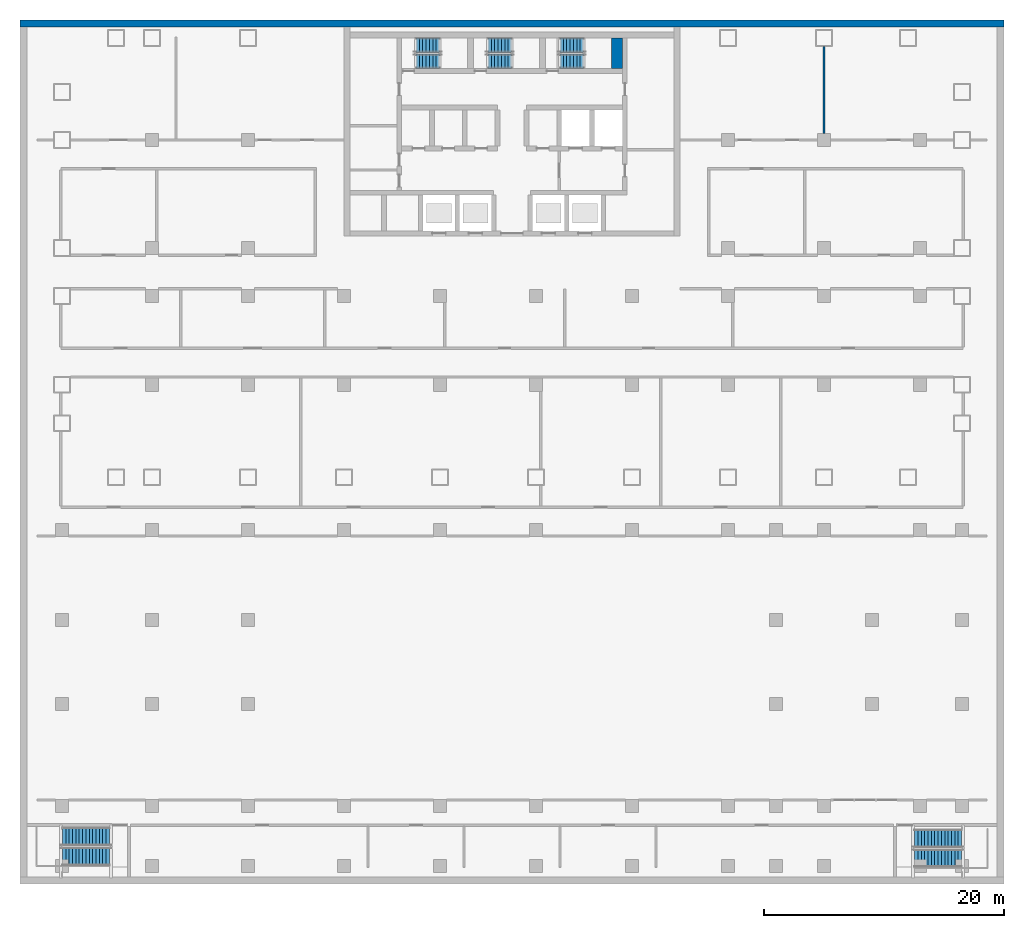
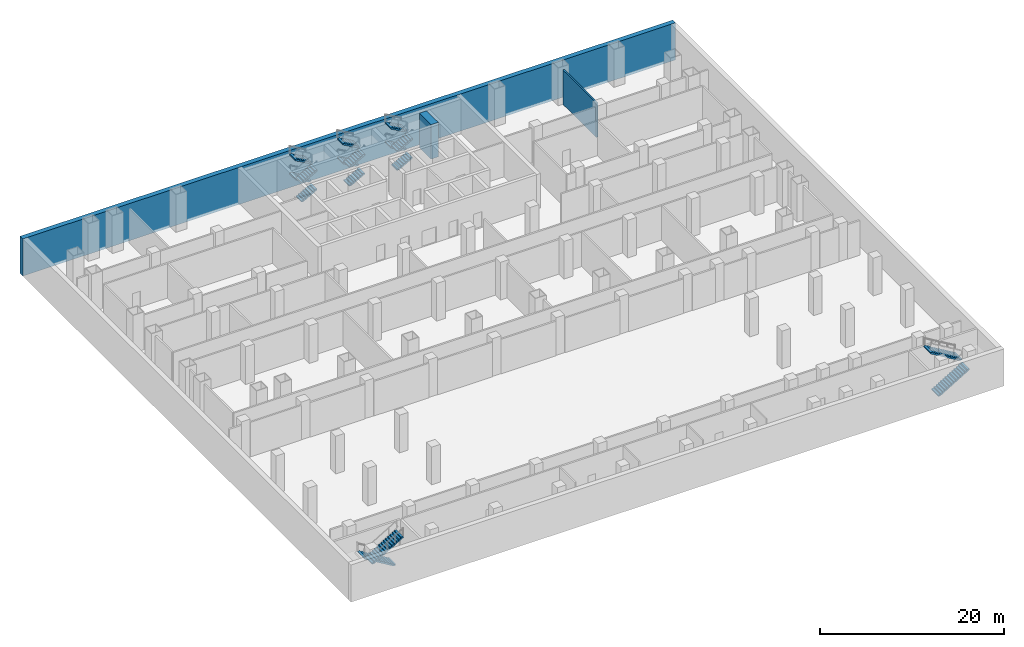
# One storey, part 8 of 12: 16 stair flights, 3 walls, 5 elements without a shape of their own.
"""IFC4 building model written with IfcOpenShell, lengths in metres."""

import ifcopenshell
import ifcopenshell.guid

model = None  # the IFC model being written
_history = None  # IfcOwnerHistory: only IFC2X3 demands one
_inside = {}  # id of a spatial element -> (the spatial element, [elements in it])
_under = {}  # id of a project, library or spatial element -> (it, [spatial elements below it])
_declared = {}  # id of a project -> (the project, [libraries it declares])
_typed = {}  # id of a type object -> (the type object, [elements of that type])
_made_of = {}  # id of a material, layer set ... -> (it, [elements and type objects made of it])


def new_model(schema):
    """Start an empty IFC model of exactly this schema.

    Asked for "IFC4X3", IfcOpenShell would pick the latest addendum, in which some entities
    have other attributes; the version numbers below select the first issue.
    IFC2X3 requires an IfcOwnerHistory on every rooted entity: one is made here for all.
    """
    global model, _history
    if schema == "IFC4X3":
        model = ifcopenshell.file(schema_version=(4, 3, 0, 0))
    else:
        model = ifcopenshell.file(schema=schema)
    _inside.clear()
    _under.clear()
    _declared.clear()
    _typed.clear()
    _made_of.clear()
    _history = None
    if model.schema == "IFC2X3":
        org = make("IfcOrganization", Name="unknown")
        user = make(
            "IfcPersonAndOrganization",
            ThePerson=make("IfcPerson", FamilyName="unknown"),
            TheOrganization=org,
        )
        app = make(
            "IfcApplication",
            ApplicationDeveloper=org,
            Version="unknown",
            ApplicationFullName="unknown",
            ApplicationIdentifier="unknown",
        )
        _history = make(
            "IfcOwnerHistory",
            OwningUser=user,
            OwningApplication=app,
            ChangeAction="ADDED",
            CreationDate=0,
        )
    return model


def make(cls, **values):
    """One entity of the class cls with the attributes given. An attribute that is None is left unset."""
    return model.create_entity(
        cls, **{name: value for name, value in values.items() if value is not None}
    )


def rooted(cls, **values):
    """An entity with a GlobalId (a new one), such as an element, a storey or a relation."""
    return make(cls, GlobalId=ifcopenshell.guid.new(), OwnerHistory=_history, **values)


def si_unit(unit_type, name, prefix=None):
    """IfcSIUnit, for example si_unit("LENGTHUNIT", "METRE", prefix="MILLI")."""
    return make("IfcSIUnit", UnitType=unit_type, Prefix=prefix, Name=name)


def assignment(units):
    """IfcUnitAssignment: the units of a project."""
    return None if units is None else make("IfcUnitAssignment", Units=units)


def point(xyz):
    """IfcCartesianPoint."""
    return None if xyz is None else make("IfcCartesianPoint", Coordinates=xyz)


def direction(xyz):
    """IfcDirection."""
    return None if xyz is None else make("IfcDirection", DirectionRatios=xyz)


def frame(location, z_axis=None, x_axis=None):
    """IfcAxis2Placement3D, a coordinate frame: its origin and axes. An axis left out is left unset."""
    return make(
        "IfcAxis2Placement3D",
        Location=point(location),
        Axis=direction(z_axis),
        RefDirection=direction(x_axis),
    )


def frame_2d(location, x_axis=None):
    """IfcAxis2Placement2D, a coordinate frame in the plane: its origin and x axis."""
    return make(
        "IfcAxis2Placement2D", Location=point(location), RefDirection=direction(x_axis)
    )


def origin():
    """The frame at (0, 0, 0) with its axes left unset."""
    return frame((0.0, 0.0, 0.0))


def place(relative_to, where):
    """IfcLocalPlacement: puts the frame where relative to a parent placement (None: the world)."""
    return make(
        "IfcLocalPlacement", PlacementRelTo=relative_to, RelativePlacement=where
    )


def context(
    kind, dimensions, precision=None, world=None, true_north=None, identifier=None
):
    """IfcGeometricRepresentationContext, for example the 3D "Model" context."""
    return make(
        "IfcGeometricRepresentationContext",
        ContextIdentifier=identifier,
        ContextType=kind,
        CoordinateSpaceDimension=dimensions,
        Precision=precision,
        WorldCoordinateSystem=world,
        TrueNorth=true_north,
    )


def subcontext(parent, identifier, kind, view, scale=None):
    """IfcGeometricRepresentationSubContext, for example "Body" below "Model"."""
    return make(
        "IfcGeometricRepresentationSubContext",
        ContextIdentifier=identifier,
        ContextType=kind,
        ParentContext=parent,
        TargetScale=scale,
        TargetView=view,
    )


def project(units=None, contexts=None):
    """IfcProject with its units and contexts."""
    return rooted(
        "IfcProject",
        Name="project",
        RepresentationContexts=contexts,
        UnitsInContext=assignment(units),
    )


def spatial(cls, under=None, at=None, **own):
    """A site, building, storey or space (cls), placed at a placement, below another one or the project."""
    s = rooted(cls, ObjectPlacement=at, **own)
    if under is not None:
        _under.setdefault(under.id(), (under, []))[1].append(s)
    return s


def polyline(points):
    """IfcPolyline through the points."""
    return make("IfcPolyline", Points=[point(p) for p in points])


def profile(cls, at=None, kind="AREA", **sizes):
    """A parametric profile (cls). Its sizes go by their IFC names, for example OverallWidth=200.0."""
    return make(cls, ProfileType=kind, Position=at, **sizes)


def rectangle(**sizes):
    """IfcRectangleProfileDef."""
    return profile("IfcRectangleProfileDef", **sizes)


def outline(outer, holes=None, kind="AREA"):
    """IfcArbitraryClosedProfileDef: a profile drawn as a closed curve; with holes, ...WithVoids."""
    if holes is None:
        return make("IfcArbitraryClosedProfileDef", ProfileType=kind, OuterCurve=outer)
    return make(
        "IfcArbitraryProfileDefWithVoids",
        ProfileType=kind,
        OuterCurve=outer,
        InnerCurves=holes,
    )


def extrude(swept, where, along, depth):
    """IfcExtrudedAreaSolid: the profile swept, set in the frame where, extruded along a direction by depth."""
    return make(
        "IfcExtrudedAreaSolid",
        SweptArea=swept,
        Position=where,
        ExtrudedDirection=direction(along),
        Depth=depth,
    )


def shape(context_of_items, identifier, shape_type, items):
    """IfcShapeRepresentation: the items that make up one representation, for example the "Body"."""
    return make(
        "IfcShapeRepresentation",
        ContextOfItems=context_of_items,
        RepresentationIdentifier=identifier,
        RepresentationType=shape_type,
        Items=items,
    )


def material(Name=None, Category=None):
    """IfcMaterial."""
    return make("IfcMaterial", Name=Name, Category=Category)


def layer(
    of_material, thickness, ventilated=None, Name=None, Category=None, Priority=None
):
    """IfcMaterialLayer: one layer of a wall or slab, of a material (None: an air gap)."""
    return make(
        "IfcMaterialLayer",
        Material=of_material,
        LayerThickness=thickness,
        IsVentilated=ventilated,
        Name=Name,
        Category=Category,
        Priority=Priority,
    )


def layer_set(layers, Name=None):
    """IfcMaterialLayerSet."""
    return make("IfcMaterialLayerSet", MaterialLayers=layers, LayerSetName=Name)


def made_of(thing, what):
    """Note that an element or type object is made of a material, layer set ...; save() writes the relation."""
    if what is not None:
        _made_of.setdefault(what.id(), (what, []))[1].append(thing)
    return thing


def type_object(cls, material=None, **own):
    """A type object (cls), such as IfcWallType, which elements share."""
    return made_of(rooted(cls, **own), material)


def element(
    cls,
    number,
    at=None,
    inside=None,
    cuts=None,
    type_object=None,
    material=None,
    context=None,
    identifier="Body",
    shape_type=None,
    held_by="IfcProductDefinitionShape",
    body=None,
    shapes=None,
    **own,
):
    """One element of the class cls, such as IfcWall. Its Tag is "e" and its number.

    at: its placement. inside: the storey or other place that contains it. cuts: it is an
    opening in that element (IfcRelVoidsElement). A single representation is given by context,
    identifier, shape_type and body (its items); several are given by shapes. held_by: the class
    of the entity that holds the representations. save() writes the other relations.
    """
    e = rooted(cls, Tag="e%d" % number, ObjectPlacement=at, **own)
    if body is not None:
        shapes = [shape(context, identifier, shape_type, body)]
    if shapes is not None:
        e.Representation = make(held_by, Representations=shapes)
    if inside is not None:
        _inside.setdefault(inside.id(), (inside, []))[1].append(e)
    if cuts is not None:
        rooted(
            "IfcRelVoidsElement", RelatingBuildingElement=cuts, RelatedOpeningElement=e
        )
    if type_object is not None:
        _typed.setdefault(type_object.id(), (type_object, []))[1].append(e)
    return made_of(e, material)


def aggregate(whole, parts):
    """IfcRelAggregates: a whole, such as a stair, and the parts it consists of."""
    return rooted("IfcRelAggregates", RelatingObject=whole, RelatedObjects=parts)


def save(model, path):
    """Write the relations noted so far, then the file.

    IfcRelAggregates (storeys below a building ...), IfcRelContainedInSpatialStructure (elements
    in a storey), IfcRelDefinesByType, IfcRelAssociatesMaterial and IfcRelDeclares: one each for
    every whole, place, type object, material and project.
    """
    for whole, parts in _under.values():
        aggregate(whole, parts)
    for where, things in _inside.values():
        rooted(
            "IfcRelContainedInSpatialStructure",
            RelatedElements=things,
            RelatingStructure=where,
        )
    for kind, things in _typed.values():
        rooted("IfcRelDefinesByType", RelatedObjects=things, RelatingType=kind)
    for what, things in _made_of.values():
        rooted("IfcRelAssociatesMaterial", RelatedObjects=things, RelatingMaterial=what)
    for by, libraries in _declared.values():
        rooted("IfcRelDeclares", RelatingContext=by, RelatedDefinitions=libraries)
    model.write(path)


model = new_model("IFC4")

# Units and contexts
model_context = context("Model", 3, precision=1e-05, world=origin(), true_north=direction((0.0, 1.0)))
body_context = subcontext(model_context, "Body", "Model", "MODEL_VIEW")
ifc_project = project(units=[si_unit("LENGTHUNIT", "METRE"), si_unit("AREAUNIT", "SQUARE_METRE"), si_unit("VOLUMEUNIT", "CUBIC_METRE"), si_unit("PLANEANGLEUNIT", "RADIAN"), si_unit("MASSUNIT", "GRAM", prefix="KILO")], contexts=[model_context])

# Site, building, storey
site_placement = place(None, origin())
site = spatial("IfcSite", under=ifc_project, at=site_placement, CompositionType="ELEMENT")
building_placement = place(site_placement, origin())
building = spatial("IfcBuilding", under=site, at=building_placement, Name="Vidyagriha Tower", CompositionType="ELEMENT")
storey_placement = place(building_placement, frame((0.0, 0.0, -5.0)))
storey = spatial("IfcBuildingStorey", under=building, at=storey_placement, Name="B1", CompositionType="ELEMENT", Elevation=-5.0)

# Walls
ifc_material_1 = material(Name="Concrete C50/60", Category="concrete")
ifc_layer_1 = layer(ifc_material_1, 0.60009765625)
ifc_layer_set_1 = layer_set([ifc_layer_1], Name="Concrete C50/60")
wall_type_1 = type_object("IfcWallType", Name="Basement retaining wall 600", PredefinedType="SOLIDWALL", material=ifc_layer_set_1)
wall_1_placement = place(storey_placement, frame((-41.0, 20.699951171875, -0.35009765625)))
element("IfcWall", 1, at=wall_1_placement, inside=storey, type_object=wall_type_1, Name="st-retwall-B1-n", PredefinedType="SOLIDWALL", context=body_context, shape_type="SweptSolid", body=[
    extrude(rectangle(XDim=82.0, YDim=0.60009765625, at=frame_2d((41.0, 0.0))), origin(), (0.0, 0.0, 1.0), 4.93017578125),
])
ifc_material_2 = material(Name="Concrete C60/75", Category="concrete")
ifc_layer_2 = layer(ifc_material_2, 0.89990234375)
ifc_layer_set_2 = layer_set([ifc_layer_2], Name="Concrete C60/75")
wall_type_2 = type_object("IfcWallType", Name="Core shear wall 900 mm", PredefinedType="SHEAR", material=ifc_layer_set_2)
wall_2_placement = place(storey_placement, frame((8.75, 16.949951171875, 0.0), z_axis=(0.0, 0.0, 1.0), x_axis=(0.0, 1.0, 0.0)))
element("IfcWall", 2, at=wall_2_placement, inside=storey, type_object=wall_type_2, Name="Stair end wall", PredefinedType="SHEAR", context=body_context, shape_type="SweptSolid", body=[
    extrude(rectangle(XDim=2.550048828125, YDim=0.89990234375, at=frame_2d((1.27490234375, 0.0))), origin(), (0.0, 0.0, 1.0), 4.580078125),
])
ifc_material_3 = material(Name="Fire rated gypsum board on light gauge framing")
ifc_layer_3 = layer(ifc_material_3, 0.199951171875)
ifc_layer_set_3 = layer_set([ifc_layer_3], Name="Fire rated gypsum board on light gauge framing")
wall_type_3 = type_object("IfcWallType", Name="Fire Rated Corridor Wall 200", PredefinedType="PARTITIONING", material=ifc_layer_set_3)
wall_3_placement = place(storey_placement, frame((26.0, 11.550048828125, 0.0), z_axis=(0.0, 0.0, 1.0), x_axis=(0.0, 1.0, 0.0)))
element("IfcWall", 3, at=wall_3_placement, inside=storey, type_object=wall_type_3, Name="B1 Fire Rated Corridor Wall 200 081", PredefinedType="PARTITIONING", context=body_context, shape_type="SweptSolid", body=[
    extrude(rectangle(XDim=7.25, YDim=0.199951171875, at=frame_2d((3.625, 0.0))), origin(), (0.0, 0.0, 1.0), 4.580078125),
])

# Stair, stair flights
ifc_material_4 = material(Name="Concrete C40/50", Category="concrete")
stair_type_1 = type_object("IfcStairType", Name="Exit stair, half-turn, precast flights", PredefinedType="HALF_TURN_STAIR", material=ifc_material_4)
stair_1_placement = place(storey_placement, origin())
stair_1 = element("IfcStair", 4, at=stair_1_placement, inside=storey, type_object=stair_type_1, Name="B1 Exit Stair ST1", PredefinedType="HALF_TURN_STAIR")
ifc_material_5 = material(Name="Precast concrete C40/50", Category="concrete")
stair_flight_type_1 = type_object("IfcStairFlightType", Name="Exit stair flight 1200 mm, precast", PredefinedType="STRAIGHT", material=ifc_material_5)
stair_flight_1_placement = place(storey_placement, frame((-8.0, 17.550048828125, 0.0)))
stair_flight_1 = element("IfcStairFlight", 5, at=stair_flight_1_placement, type_object=stair_flight_type_1, Name="ST1 flight 1", NumberOfRisers=8, NumberOfTreads=7, PredefinedType="STRAIGHT", RiserHeight=0.15625, TreadLength=0.28, context=body_context, shape_type="SweptSolid", body=[
    extrude(outline(polyline([(0.0, 0.0), (0.0, 0.15625), (0.280029296875, 0.15625), (0.280029296875, 0.3125), (0.56005859375, 0.3125), (0.56005859375, 0.46875), (0.840087890625, 0.46875), (0.840087890625, 0.625), (1.1201171875, 0.625), (1.1201171875, 0.78125), (1.39990234375, 0.78125), (1.39990234375, 0.9375), (1.679931640625, 0.9375), (1.679931640625, 1.09375), (1.9599609375, 1.09375), (1.9599609375, 1.25), (1.9599609375, 0.922119140625), (0.3076171875, 0.0), (0.0, 0.0)])), frame((0.0, 0.60009765625, 0.0), z_axis=(0.0, -1.0, 0.0), x_axis=(1.0, 0.0, 0.0)), (0.0, 0.0, 1.0), 1.199951171875),
])
stair_flight_2_placement = place(storey_placement, frame((-6.0400390625, 18.89990234375, 1.25), z_axis=(0.0, 0.0, 1.0), x_axis=(-1.0, 0.0, 0.0)))
stair_flight_2 = element("IfcStairFlight", 6, at=stair_flight_2_placement, type_object=stair_flight_type_1, Name="ST1 flight 2", NumberOfRisers=8, NumberOfTreads=7, PredefinedType="STRAIGHT", RiserHeight=0.15625, TreadLength=0.28, context=body_context, shape_type="SweptSolid", body=[
    extrude(outline(polyline([(0.0, 0.0), (0.0, 0.15625), (0.280029296875, 0.15625), (0.280029296875, 0.3125), (0.56005859375, 0.3125), (0.56005859375, 0.46875), (0.840087890625, 0.46875), (0.840087890625, 0.625), (1.1201171875, 0.625), (1.1201171875, 0.78125), (1.39990234375, 0.78125), (1.39990234375, 0.9375), (1.679931640625, 0.9375), (1.679931640625, 1.09375), (1.9599609375, 1.09375), (1.9599609375, 1.25), (1.9599609375, 0.922119140625), (0.3076171875, 0.0), (0.0, 0.0)])), frame((0.0, 0.60009765625, 0.0), z_axis=(0.0, -1.0, 0.0), x_axis=(1.0, 0.0, 0.0)), (0.0, 0.0, 1.0), 1.199951171875),
])
stair_flight_3_placement = place(storey_placement, frame((-8.0, 17.550048828125, 2.5)))
stair_flight_3 = element("IfcStairFlight", 7, at=stair_flight_3_placement, type_object=stair_flight_type_1, Name="ST1 flight 3", NumberOfRisers=8, NumberOfTreads=7, PredefinedType="STRAIGHT", RiserHeight=0.15625, TreadLength=0.28, context=body_context, shape_type="SweptSolid", body=[
    extrude(outline(polyline([(0.0, 0.0), (0.0, 0.15625), (0.280029296875, 0.15625), (0.280029296875, 0.3125), (0.56005859375, 0.3125), (0.56005859375, 0.46875), (0.840087890625, 0.46875), (0.840087890625, 0.625), (1.1201171875, 0.625), (1.1201171875, 0.78125), (1.39990234375, 0.78125), (1.39990234375, 0.9375), (1.679931640625, 0.9375), (1.679931640625, 1.09375), (1.9599609375, 1.09375), (1.9599609375, 1.25), (1.9599609375, 0.922119140625), (0.3076171875, 0.0), (0.0, 0.0)])), frame((0.0, 0.60009765625, 0.0), z_axis=(0.0, -1.0, 0.0), x_axis=(1.0, 0.0, 0.0)), (0.0, 0.0, 1.0), 1.199951171875),
])
stair_flight_4_placement = place(storey_placement, frame((-6.0400390625, 18.89990234375, 3.75), z_axis=(0.0, 0.0, 1.0), x_axis=(-1.0, 0.0, 0.0)))
stair_flight_4 = element("IfcStairFlight", 8, at=stair_flight_4_placement, type_object=stair_flight_type_1, Name="ST1 flight 4", NumberOfRisers=8, NumberOfTreads=7, PredefinedType="STRAIGHT", RiserHeight=0.15625, TreadLength=0.28, context=body_context, shape_type="SweptSolid", body=[
    extrude(outline(polyline([(0.0, 0.0), (0.0, 0.15625), (0.280029296875, 0.15625), (0.280029296875, 0.3125), (0.56005859375, 0.3125), (0.56005859375, 0.46875), (0.840087890625, 0.46875), (0.840087890625, 0.625), (1.1201171875, 0.625), (1.1201171875, 0.78125), (1.39990234375, 0.78125), (1.39990234375, 0.9375), (1.679931640625, 0.9375), (1.679931640625, 1.09375), (1.9599609375, 1.09375), (1.9599609375, 1.25), (1.9599609375, 0.922119140625), (0.3076171875, 0.0), (0.0, 0.0)])), frame((0.0, 0.60009765625, 0.0), z_axis=(0.0, -1.0, 0.0), x_axis=(1.0, 0.0, 0.0)), (0.0, 0.0, 1.0), 1.199951171875),
])
aggregate(stair_1, [stair_flight_1, stair_flight_2, stair_flight_3, stair_flight_4])

stair_2_placement = place(storey_placement, origin())
stair_2 = element("IfcStair", 9, at=stair_2_placement, inside=storey, type_object=stair_type_1, Name="B1 Exit Stair ST2", PredefinedType="HALF_TURN_STAIR")
stair_flight_5_placement = place(storey_placement, frame((-2.0, 17.550048828125, 0.0)))
stair_flight_5 = element("IfcStairFlight", 10, at=stair_flight_5_placement, type_object=stair_flight_type_1, Name="ST2 flight 1", NumberOfRisers=8, NumberOfTreads=7, PredefinedType="STRAIGHT", RiserHeight=0.15625, TreadLength=0.28, context=body_context, shape_type="SweptSolid", body=[
    extrude(outline(polyline([(0.0, 0.0), (0.0, 0.15625), (0.280029296875, 0.15625), (0.280029296875, 0.3125), (0.56005859375, 0.3125), (0.56005859375, 0.46875), (0.840087890625, 0.46875), (0.840087890625, 0.625), (1.1201171875, 0.625), (1.1201171875, 0.78125), (1.39990234375, 0.78125), (1.39990234375, 0.9375), (1.679931640625, 0.9375), (1.679931640625, 1.09375), (1.9599609375, 1.09375), (1.9599609375, 1.25), (1.9599609375, 0.922119140625), (0.3076171875, 0.0), (0.0, 0.0)])), frame((0.0, 0.60009765625, 0.0), z_axis=(0.0, -1.0, 0.0), x_axis=(1.0, 0.0, 0.0)), (0.0, 0.0, 1.0), 1.199951171875),
])
stair_flight_6_placement = place(storey_placement, frame((-0.0400390625, 18.89990234375, 1.25), z_axis=(0.0, 0.0, 1.0), x_axis=(-1.0, 0.0, 0.0)))
stair_flight_6 = element("IfcStairFlight", 11, at=stair_flight_6_placement, type_object=stair_flight_type_1, Name="ST2 flight 2", NumberOfRisers=8, NumberOfTreads=7, PredefinedType="STRAIGHT", RiserHeight=0.15625, TreadLength=0.28, context=body_context, shape_type="SweptSolid", body=[
    extrude(outline(polyline([(0.0, 0.0), (0.0, 0.15625), (0.280029296875, 0.15625), (0.280029296875, 0.3125), (0.56005859375, 0.3125), (0.56005859375, 0.46875), (0.840087890625, 0.46875), (0.840087890625, 0.625), (1.1201171875, 0.625), (1.1201171875, 0.78125), (1.39990234375, 0.78125), (1.39990234375, 0.9375), (1.679931640625, 0.9375), (1.679931640625, 1.09375), (1.9599609375, 1.09375), (1.9599609375, 1.25), (1.9599609375, 0.922119140625), (0.3076171875, 0.0), (0.0, 0.0)])), frame((0.0, 0.60009765625, 0.0), z_axis=(0.0, -1.0, 0.0), x_axis=(1.0, 0.0, 0.0)), (0.0, 0.0, 1.0), 1.199951171875),
])
stair_flight_7_placement = place(storey_placement, frame((-2.0, 17.550048828125, 2.5)))
stair_flight_7 = element("IfcStairFlight", 12, at=stair_flight_7_placement, type_object=stair_flight_type_1, Name="ST2 flight 3", NumberOfRisers=8, NumberOfTreads=7, PredefinedType="STRAIGHT", RiserHeight=0.15625, TreadLength=0.28, context=body_context, shape_type="SweptSolid", body=[
    extrude(outline(polyline([(0.0, 0.0), (0.0, 0.15625), (0.280029296875, 0.15625), (0.280029296875, 0.3125), (0.56005859375, 0.3125), (0.56005859375, 0.46875), (0.840087890625, 0.46875), (0.840087890625, 0.625), (1.1201171875, 0.625), (1.1201171875, 0.78125), (1.39990234375, 0.78125), (1.39990234375, 0.9375), (1.679931640625, 0.9375), (1.679931640625, 1.09375), (1.9599609375, 1.09375), (1.9599609375, 1.25), (1.9599609375, 0.922119140625), (0.3076171875, 0.0), (0.0, 0.0)])), frame((0.0, 0.60009765625, 0.0), z_axis=(0.0, -1.0, 0.0), x_axis=(1.0, 0.0, 0.0)), (0.0, 0.0, 1.0), 1.199951171875),
])
stair_flight_8_placement = place(storey_placement, frame((-0.0400390625, 18.89990234375, 3.75), z_axis=(0.0, 0.0, 1.0), x_axis=(-1.0, 0.0, 0.0)))
stair_flight_8 = element("IfcStairFlight", 13, at=stair_flight_8_placement, type_object=stair_flight_type_1, Name="ST2 flight 4", NumberOfRisers=8, NumberOfTreads=7, PredefinedType="STRAIGHT", RiserHeight=0.15625, TreadLength=0.28, context=body_context, shape_type="SweptSolid", body=[
    extrude(outline(polyline([(0.0, 0.0), (0.0, 0.15625), (0.280029296875, 0.15625), (0.280029296875, 0.3125), (0.56005859375, 0.3125), (0.56005859375, 0.46875), (0.840087890625, 0.46875), (0.840087890625, 0.625), (1.1201171875, 0.625), (1.1201171875, 0.78125), (1.39990234375, 0.78125), (1.39990234375, 0.9375), (1.679931640625, 0.9375), (1.679931640625, 1.09375), (1.9599609375, 1.09375), (1.9599609375, 1.25), (1.9599609375, 0.922119140625), (0.3076171875, 0.0), (0.0, 0.0)])), frame((0.0, 0.60009765625, 0.0), z_axis=(0.0, -1.0, 0.0), x_axis=(1.0, 0.0, 0.0)), (0.0, 0.0, 1.0), 1.199951171875),
])
aggregate(stair_2, [stair_flight_5, stair_flight_6, stair_flight_7, stair_flight_8])

stair_3_placement = place(storey_placement, origin())
stair_3 = element("IfcStair", 14, at=stair_3_placement, inside=storey, type_object=stair_type_1, Name="B1 Exit Stair ST3", PredefinedType="HALF_TURN_STAIR")
stair_flight_9_placement = place(storey_placement, frame((4.0, 17.550048828125, 0.0)))
stair_flight_9 = element("IfcStairFlight", 15, at=stair_flight_9_placement, type_object=stair_flight_type_1, Name="ST3 flight 1", NumberOfRisers=8, NumberOfTreads=7, PredefinedType="STRAIGHT", RiserHeight=0.15625, TreadLength=0.28, context=body_context, shape_type="SweptSolid", body=[
    extrude(outline(polyline([(0.0, 0.0), (0.0, 0.15625), (0.280029296875, 0.15625), (0.280029296875, 0.3125), (0.56005859375, 0.3125), (0.56005859375, 0.46875), (0.840087890625, 0.46875), (0.840087890625, 0.625), (1.1201171875, 0.625), (1.1201171875, 0.78125), (1.39990234375, 0.78125), (1.39990234375, 0.9375), (1.679931640625, 0.9375), (1.679931640625, 1.09375), (1.9599609375, 1.09375), (1.9599609375, 1.25), (1.9599609375, 0.922119140625), (0.3076171875, 0.0), (0.0, 0.0)])), frame((0.0, 0.60009765625, 0.0), z_axis=(0.0, -1.0, 0.0), x_axis=(1.0, 0.0, 0.0)), (0.0, 0.0, 1.0), 1.199951171875),
])
stair_flight_10_placement = place(storey_placement, frame((5.9599609375, 18.89990234375, 1.25), z_axis=(0.0, 0.0, 1.0), x_axis=(-1.0, 0.0, 0.0)))
stair_flight_10 = element("IfcStairFlight", 16, at=stair_flight_10_placement, type_object=stair_flight_type_1, Name="ST3 flight 2", NumberOfRisers=8, NumberOfTreads=7, PredefinedType="STRAIGHT", RiserHeight=0.15625, TreadLength=0.28, context=body_context, shape_type="SweptSolid", body=[
    extrude(outline(polyline([(0.0, 0.0), (0.0, 0.15625), (0.280029296875, 0.15625), (0.280029296875, 0.3125), (0.56005859375, 0.3125), (0.56005859375, 0.46875), (0.840087890625, 0.46875), (0.840087890625, 0.625), (1.1201171875, 0.625), (1.1201171875, 0.78125), (1.39990234375, 0.78125), (1.39990234375, 0.9375), (1.679931640625, 0.9375), (1.679931640625, 1.09375), (1.9599609375, 1.09375), (1.9599609375, 1.25), (1.9599609375, 0.922119140625), (0.3076171875, 0.0), (0.0, 0.0)])), frame((0.0, 0.60009765625, 0.0), z_axis=(0.0, -1.0, 0.0), x_axis=(1.0, 0.0, 0.0)), (0.0, 0.0, 1.0), 1.199951171875),
])
stair_flight_11_placement = place(storey_placement, frame((4.0, 17.550048828125, 2.5)))
stair_flight_11 = element("IfcStairFlight", 17, at=stair_flight_11_placement, type_object=stair_flight_type_1, Name="ST3 flight 3", NumberOfRisers=8, NumberOfTreads=7, PredefinedType="STRAIGHT", RiserHeight=0.15625, TreadLength=0.28, context=body_context, shape_type="SweptSolid", body=[
    extrude(outline(polyline([(0.0, 0.0), (0.0, 0.15625), (0.280029296875, 0.15625), (0.280029296875, 0.3125), (0.56005859375, 0.3125), (0.56005859375, 0.46875), (0.840087890625, 0.46875), (0.840087890625, 0.625), (1.1201171875, 0.625), (1.1201171875, 0.78125), (1.39990234375, 0.78125), (1.39990234375, 0.9375), (1.679931640625, 0.9375), (1.679931640625, 1.09375), (1.9599609375, 1.09375), (1.9599609375, 1.25), (1.9599609375, 0.922119140625), (0.3076171875, 0.0), (0.0, 0.0)])), frame((0.0, 0.60009765625, 0.0), z_axis=(0.0, -1.0, 0.0), x_axis=(1.0, 0.0, 0.0)), (0.0, 0.0, 1.0), 1.199951171875),
])
stair_flight_12_placement = place(storey_placement, frame((5.9599609375, 18.89990234375, 3.75), z_axis=(0.0, 0.0, 1.0), x_axis=(-1.0, 0.0, 0.0)))
stair_flight_12 = element("IfcStairFlight", 18, at=stair_flight_12_placement, type_object=stair_flight_type_1, Name="ST3 flight 4", NumberOfRisers=8, NumberOfTreads=7, PredefinedType="STRAIGHT", RiserHeight=0.15625, TreadLength=0.28, context=body_context, shape_type="SweptSolid", body=[
    extrude(outline(polyline([(0.0, 0.0), (0.0, 0.15625), (0.280029296875, 0.15625), (0.280029296875, 0.3125), (0.56005859375, 0.3125), (0.56005859375, 0.46875), (0.840087890625, 0.46875), (0.840087890625, 0.625), (1.1201171875, 0.625), (1.1201171875, 0.78125), (1.39990234375, 0.78125), (1.39990234375, 0.9375), (1.679931640625, 0.9375), (1.679931640625, 1.09375), (1.9599609375, 1.09375), (1.9599609375, 1.25), (1.9599609375, 0.922119140625), (0.3076171875, 0.0), (0.0, 0.0)])), frame((0.0, 0.60009765625, 0.0), z_axis=(0.0, -1.0, 0.0), x_axis=(1.0, 0.0, 0.0)), (0.0, 0.0, 1.0), 1.199951171875),
])
aggregate(stair_3, [stair_flight_9, stair_flight_10, stair_flight_11, stair_flight_12])

ifc_material_6 = material(Name="Concrete C32/40", Category="concrete")
stair_type_2 = type_object("IfcStairType", Name="Podium Exit Stair 1500", PredefinedType="HALF_TURN_STAIR", material=ifc_material_6)
stair_4_placement = place(storey_placement, origin())
stair_4 = element("IfcStair", 19, at=stair_4_placement, inside=storey, type_object=stair_type_2, Name="B1 Exit Stair PS1", PredefinedType="HALF_TURN_STAIR")
ifc_material_7 = material(Name="Concrete C32/40", Category="concrete")
stair_flight_type_2 = type_object("IfcStairFlightType", Name="Podium Stair Flight 1500", PredefinedType="STRAIGHT", material=ifc_material_7)
stair_flight_13_placement = place(storey_placement, frame((-33.544921875, -47.050048828125, 0.0), z_axis=(0.0, 0.0, 1.0), x_axis=(-1.0, 0.0, 0.0)))
stair_flight_13 = element("IfcStairFlight", 20, at=stair_flight_13_placement, type_object=stair_flight_type_2, Name="PS1 flight 1", NumberOfRisers=15, NumberOfTreads=14, PredefinedType="STRAIGHT", RiserHeight=0.166666667, TreadLength=0.28, context=body_context, shape_type="SweptSolid", body=[
    extrude(outline(polyline([(0.0, 0.0), (0.0, 0.166748046875), (0.280029296875, 0.166748046875), (0.280029296875, 0.333251953125), (0.56005859375, 0.333251953125), (0.56005859375, 0.5), (0.840087890625, 0.5), (0.840087890625, 0.666748046875), (1.1201171875, 0.666748046875), (1.1201171875, 0.833251953125), (1.39990234375, 0.833251953125), (1.39990234375, 1.0), (1.679931640625, 1.0), (1.679931640625, 1.166748046875), (1.9599609375, 1.166748046875), (1.9599609375, 1.333251953125), (2.239990234375, 1.333251953125), (2.239990234375, 1.5), (2.52001953125, 1.5), (2.52001953125, 1.666748046875), (2.800048828125, 1.666748046875), (2.800048828125, 1.833251953125), (3.080078125, 1.833251953125), (3.080078125, 2.0), (3.360107421875, 2.0), (3.360107421875, 2.166748046875), (3.639892578125, 2.166748046875), (3.639892578125, 2.333251953125), (3.919921875, 2.333251953125), (3.919921875, 2.5), (3.919921875, 2.158935546875), (0.29296875, 0.0), (0.0, 0.0)])), frame((0.0, 0.75, 0.0), z_axis=(0.0, -1.0, 0.0), x_axis=(1.0, 0.0, 0.0)), (0.0, 0.0, 1.0), 1.5),
])
stair_flight_14_placement = place(storey_placement, frame((-37.465087890625, -48.699951171875, 2.5)))
stair_flight_14 = element("IfcStairFlight", 21, at=stair_flight_14_placement, type_object=stair_flight_type_2, Name="PS1 flight 2", NumberOfRisers=15, NumberOfTreads=14, PredefinedType="STRAIGHT", RiserHeight=0.166666667, TreadLength=0.28, context=body_context, shape_type="SweptSolid", body=[
    extrude(outline(polyline([(0.0, 0.0), (0.0, 0.166748046875), (0.280029296875, 0.166748046875), (0.280029296875, 0.333251953125), (0.56005859375, 0.333251953125), (0.56005859375, 0.5), (0.840087890625, 0.5), (0.840087890625, 0.666748046875), (1.1201171875, 0.666748046875), (1.1201171875, 0.833251953125), (1.39990234375, 0.833251953125), (1.39990234375, 1.0), (1.679931640625, 1.0), (1.679931640625, 1.166748046875), (1.9599609375, 1.166748046875), (1.9599609375, 1.333251953125), (2.239990234375, 1.333251953125), (2.239990234375, 1.5), (2.52001953125, 1.5), (2.52001953125, 1.666748046875), (2.800048828125, 1.666748046875), (2.800048828125, 1.833251953125), (3.080078125, 1.833251953125), (3.080078125, 2.0), (3.360107421875, 2.0), (3.360107421875, 2.166748046875), (3.639892578125, 2.166748046875), (3.639892578125, 2.333251953125), (3.919921875, 2.333251953125), (3.919921875, 2.5), (3.919921875, 2.158935546875), (0.29296875, 0.0), (0.0, 0.0)])), frame((0.0, 0.75, 0.0), z_axis=(0.0, -1.0, 0.0), x_axis=(1.0, 0.0, 0.0)), (0.0, 0.0, 1.0), 1.5),
])
aggregate(stair_4, [stair_flight_13, stair_flight_14])

stair_5_placement = place(storey_placement, origin())
stair_5 = element("IfcStair", 22, at=stair_5_placement, inside=storey, type_object=stair_type_2, Name="B1 Exit Stair PS2", PredefinedType="HALF_TURN_STAIR")
stair_flight_15_placement = place(storey_placement, frame((33.544921875, -48.85009765625, 0.0)))
stair_flight_15 = element("IfcStairFlight", 23, at=stair_flight_15_placement, type_object=stair_flight_type_2, Name="PS2 flight 1", NumberOfRisers=15, NumberOfTreads=14, PredefinedType="STRAIGHT", RiserHeight=0.166666667, TreadLength=0.28, context=body_context, shape_type="SweptSolid", body=[
    extrude(outline(polyline([(0.0, 0.0), (0.0, 0.166748046875), (0.280029296875, 0.166748046875), (0.280029296875, 0.333251953125), (0.56005859375, 0.333251953125), (0.56005859375, 0.5), (0.840087890625, 0.5), (0.840087890625, 0.666748046875), (1.1201171875, 0.666748046875), (1.1201171875, 0.833251953125), (1.39990234375, 0.833251953125), (1.39990234375, 1.0), (1.679931640625, 1.0), (1.679931640625, 1.166748046875), (1.9599609375, 1.166748046875), (1.9599609375, 1.333251953125), (2.239990234375, 1.333251953125), (2.239990234375, 1.5), (2.52001953125, 1.5), (2.52001953125, 1.666748046875), (2.800048828125, 1.666748046875), (2.800048828125, 1.833251953125), (3.080078125, 1.833251953125), (3.080078125, 2.0), (3.360107421875, 2.0), (3.360107421875, 2.166748046875), (3.639892578125, 2.166748046875), (3.639892578125, 2.333251953125), (3.919921875, 2.333251953125), (3.919921875, 2.5), (3.919921875, 2.158935546875), (0.29296875, 0.0), (0.0, 0.0)])), frame((0.0, 0.75, 0.0), z_axis=(0.0, -1.0, 0.0), x_axis=(1.0, 0.0, 0.0)), (0.0, 0.0, 1.0), 1.5),
])
stair_flight_16_placement = place(storey_placement, frame((37.465087890625, -47.199951171875, 2.5), z_axis=(0.0, 0.0, 1.0), x_axis=(-1.0, 0.0, 0.0)))
stair_flight_16 = element("IfcStairFlight", 24, at=stair_flight_16_placement, type_object=stair_flight_type_2, Name="PS2 flight 2", NumberOfRisers=15, NumberOfTreads=14, PredefinedType="STRAIGHT", RiserHeight=0.166666667, TreadLength=0.28, context=body_context, shape_type="SweptSolid", body=[
    extrude(outline(polyline([(0.0, 0.0), (0.0, 0.166748046875), (0.280029296875, 0.166748046875), (0.280029296875, 0.333251953125), (0.56005859375, 0.333251953125), (0.56005859375, 0.5), (0.840087890625, 0.5), (0.840087890625, 0.666748046875), (1.1201171875, 0.666748046875), (1.1201171875, 0.833251953125), (1.39990234375, 0.833251953125), (1.39990234375, 1.0), (1.679931640625, 1.0), (1.679931640625, 1.166748046875), (1.9599609375, 1.166748046875), (1.9599609375, 1.333251953125), (2.239990234375, 1.333251953125), (2.239990234375, 1.5), (2.52001953125, 1.5), (2.52001953125, 1.666748046875), (2.800048828125, 1.666748046875), (2.800048828125, 1.833251953125), (3.080078125, 1.833251953125), (3.080078125, 2.0), (3.360107421875, 2.0), (3.360107421875, 2.166748046875), (3.639892578125, 2.166748046875), (3.639892578125, 2.333251953125), (3.919921875, 2.333251953125), (3.919921875, 2.5), (3.919921875, 2.158935546875), (0.29296875, 0.0), (0.0, 0.0)])), frame((0.0, 0.75, 0.0), z_axis=(0.0, -1.0, 0.0), x_axis=(1.0, 0.0, 0.0)), (0.0, 0.0, 1.0), 1.5),
])
aggregate(stair_5, [stair_flight_15, stair_flight_16])

save(model, "model.ifc")
